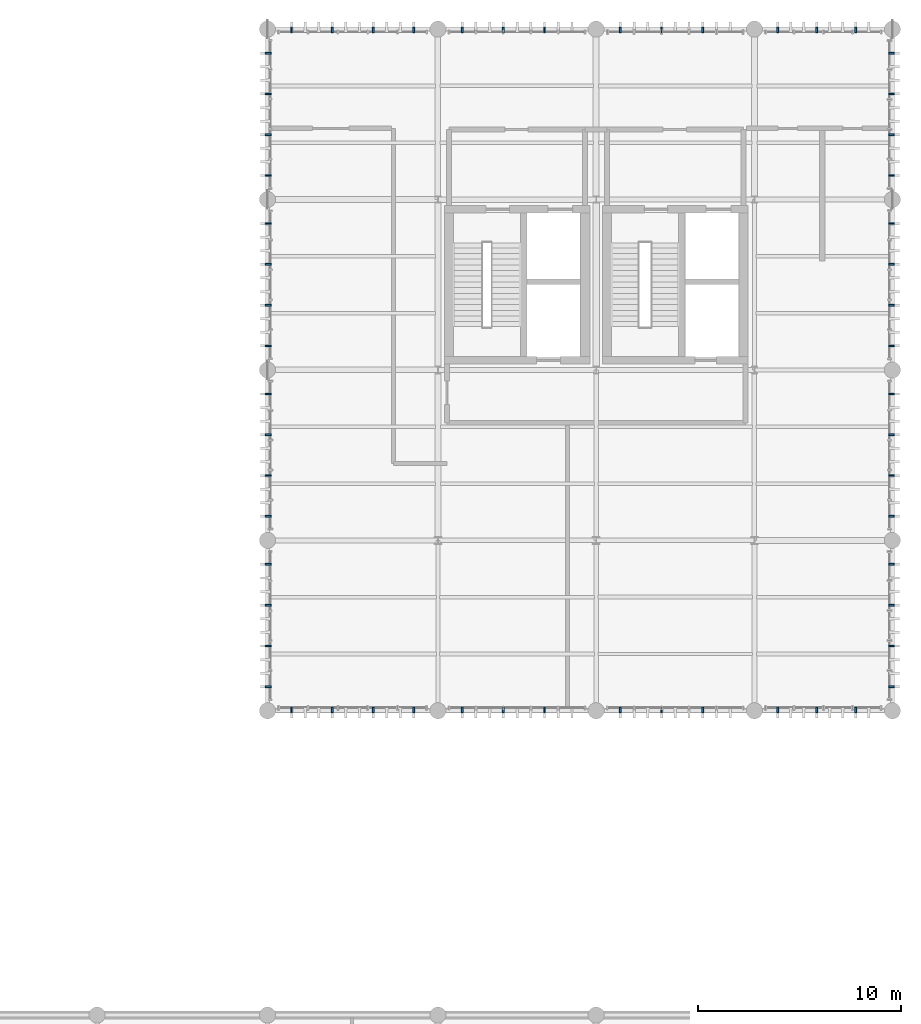
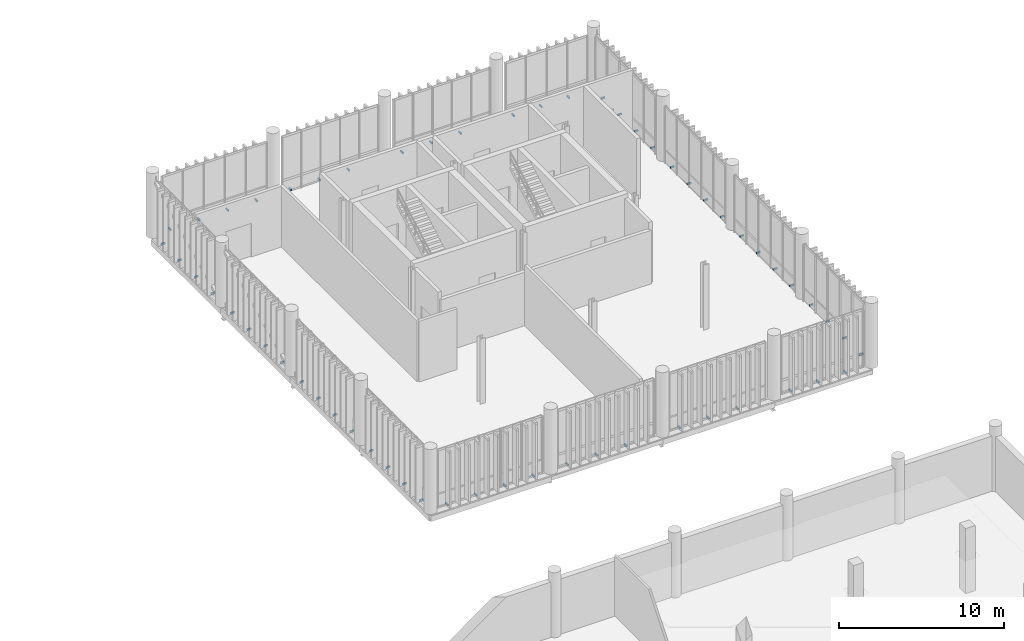
# One storey, part 86 of 94: 58 discrete accessories.
"""IFC4 building model written with IfcOpenShell, lengths in metres."""

from ifc_helpers import new_model, si_unit, direction, frame, origin_with_axes, origin_2d_with_axis, place, context, subcontext, project, spatial, rectangle, extrude, material, type_object, element, save


model = new_model("IFC4")

# Units and contexts
model_context = context("Model", 3, precision=1e-05, world=origin_with_axes(), true_north=direction((0.0, 1.0)))
body_context = subcontext(model_context, "Body", "Model", "MODEL_VIEW")
ifc_project = project(units=[si_unit("LENGTHUNIT", "METRE"), si_unit("AREAUNIT", "SQUARE_METRE"), si_unit("VOLUMEUNIT", "CUBIC_METRE"), si_unit("PLANEANGLEUNIT", "RADIAN"), si_unit("MASSUNIT", "GRAM", prefix="KILO"), si_unit("THERMODYNAMICTEMPERATUREUNIT", "KELVIN")], contexts=[model_context])

# Site, building, storey
site_placement = place(None, origin_with_axes())
site = spatial("IfcSite", under=ifc_project, at=site_placement, CompositionType="ELEMENT")
building_placement = place(site_placement, origin_with_axes())
building = spatial("IfcBuilding", under=site, at=building_placement, Name="Montbau Bow Law Courts", CompositionType="ELEMENT")
storey_placement = place(building_placement, frame((0.0, 0.0, 15.6), z_axis=(0.0, 0.0, 1.0), x_axis=(1.0, 0.0, 0.0)))
storey = spatial("IfcBuildingStorey", under=building, at=storey_placement, Name="L03", CompositionType="ELEMENT", Elevation=15.6)

# Discrete accessories
ifc_material = material(Name="Stainless Steel AISI 316L Outrigger Louvre Bracket", Category="steel")
discrete_accessory_type = type_object("IfcDiscreteAccessoryType", Name="DA-BRK-01", PredefinedType="BRACKET", material=ifc_material)
for number, where, z_axis, x_axis, name in (
    (1, (139.785, 69.64, 15.6), (0.0, 0.0, 1.0), (0.0, -1.0, 0.0), "BRK-L03-1043:brk_1043"),
    (2, (141.795, 69.64, 15.6), (0.0, 0.0, 1.0), (0.0, -1.0, 0.0), "BRK-L03-1044:brk_1044"),
    (3, (143.805, 69.64, 15.6), (0.0, 0.0, 1.0), (0.0, -1.0, 0.0), "BRK-L03-1045:brk_1045"),
    (4, (145.815, 69.64, 15.6), (0.0, 0.0, 1.0), (0.0, -1.0, 0.0), "BRK-L03-1046:brk_1046"),
    (5, (148.192, 69.64, 15.6), (0.0, 0.0, 1.0), (0.0, -1.0, 0.0), "BRK-L03-1047:brk_1047"),
    (6, (150.223, 69.64, 15.6), (0.0, 0.0, 1.0), (0.0, -1.0, 0.0), "BRK-L03-1048:brk_1048"),
    (7, (152.254, 69.64, 15.6), (0.0, 0.0, 1.0), (0.0, -1.0, 0.0), "BRK-L03-1049:brk_1049"),
    (8, (155.992, 69.64, 15.6), (0.0, 0.0, 1.0), (0.0, -1.0, 0.0), "BRK-L03-1050:brk_1050"),
    (9, (158.023, 69.64, 15.6), (0.0, 0.0, 1.0), (0.0, -1.0, 0.0), "BRK-L03-1051:brk_1051"),
    (10, (160.054, 69.64, 15.6), (0.0, 0.0, 1.0), (0.0, -1.0, 0.0), "BRK-L03-1052:brk_1052"),
    (11, (163.756, 69.64, 15.6), (0.0, 0.0, 1.0), (0.0, -1.0, 0.0), "BRK-L03-1053:brk_1053"),
    (12, (165.679, 69.64, 15.6), (0.0, 0.0, 1.0), (0.0, -1.0, 0.0), "BRK-L03-1054:brk_1054"),
    (13, (167.603, 69.64, 15.6), (0.0, 0.0, 1.0), (0.0, -1.0, 0.0), "BRK-L03-1055:brk_1055"),
    (14, (139.785, 103.16, 15.6), (0.0, 0.0, 1.0), (0.0, 1.0, 0.0), "BRK-L03-1056:brk_1056"),
    (15, (141.795, 103.16, 15.6), (0.0, 0.0, 1.0), (0.0, 1.0, 0.0), "BRK-L03-1057:brk_1057"),
    (16, (143.805, 103.16, 15.6), (0.0, 0.0, 1.0), (0.0, 1.0, 0.0), "BRK-L03-1058:brk_1058"),
    (17, (145.815, 103.16, 15.6), (0.0, 0.0, 1.0), (0.0, 1.0, 0.0), "BRK-L03-1059:brk_1059"),
    (18, (148.192, 103.16, 15.6), (0.0, 0.0, 1.0), (0.0, 1.0, 0.0), "BRK-L03-1060:brk_1060"),
    (19, (150.223, 103.16, 15.6), (0.0, 0.0, 1.0), (0.0, 1.0, 0.0), "BRK-L03-1061:brk_1061"),
    (20, (152.254, 103.16, 15.6), (0.0, 0.0, 1.0), (0.0, 1.0, 0.0), "BRK-L03-1062:brk_1062"),
    (21, (155.992, 103.16, 15.6), (0.0, 0.0, 1.0), (0.0, 1.0, 0.0), "BRK-L03-1063:brk_1063"),
    (22, (158.023, 103.16, 15.6), (0.0, 0.0, 1.0), (0.0, 1.0, 0.0), "BRK-L03-1064:brk_1064"),
    (23, (160.054, 103.16, 15.6), (0.0, 0.0, 1.0), (0.0, 1.0, 0.0), "BRK-L03-1065:brk_1065"),
    (24, (163.756, 103.16, 15.6), (0.0, 0.0, 1.0), (0.0, 1.0, 0.0), "BRK-L03-1066:brk_1066"),
    (25, (165.679, 103.16, 15.6), (0.0, 0.0, 1.0), (0.0, 1.0, 0.0), "BRK-L03-1067:brk_1067"),
    (26, (167.603, 103.16, 15.6), (0.0, 0.0, 1.0), (0.0, 1.0, 0.0), "BRK-L03-1068:brk_1068"),
    (27, (138.64, 70.785, 15.6), (0.0, 0.0, 1.0), (-1.0, 0.0, 0.0), "BRK-L03-1069:brk_1069"),
    (28, (138.64, 72.795, 15.6), (0.0, 0.0, 1.0), (-1.0, 0.0, 0.0), "BRK-L03-1070:brk_1070"),
    (29, (138.64, 74.805, 15.6), (0.0, 0.0, 1.0), (-1.0, 0.0, 0.0), "BRK-L03-1071:brk_1071"),
    (30, (138.64, 76.815, 15.6), (0.0, 0.0, 1.0), (-1.0, 0.0, 0.0), "BRK-L03-1072:brk_1072"),
    (31, (138.64, 79.185, 15.6), (0.0, 0.0, 1.0), (-1.0, 0.0, 0.0), "BRK-L03-1073:brk_1073"),
    (32, (138.64, 81.195, 15.6), (0.0, 0.0, 1.0), (-1.0, 0.0, 0.0), "BRK-L03-1074:brk_1074"),
    (33, (138.64, 83.205, 15.6), (0.0, 0.0, 1.0), (-1.0, 0.0, 0.0), "BRK-L03-1075:brk_1075"),
    (34, (138.64, 85.215, 15.6), (0.0, 0.0, 1.0), (-1.0, 0.0, 0.0), "BRK-L03-1076:brk_1076"),
    (35, (138.64, 87.585, 15.6), (0.0, 0.0, 1.0), (-1.0, 0.0, 0.0), "BRK-L03-1077:brk_1077"),
    (36, (138.64, 89.595, 15.6), (0.0, 0.0, 1.0), (-1.0, 0.0, 0.0), "BRK-L03-1078:brk_1078"),
    (37, (138.64, 91.605, 15.6), (0.0, 0.0, 1.0), (-1.0, 0.0, 0.0), "BRK-L03-1079:brk_1079"),
    (38, (138.64, 93.615, 15.6), (0.0, 0.0, 1.0), (-1.0, 0.0, 0.0), "BRK-L03-1080:brk_1080"),
    (39, (138.64, 95.985, 15.6), (0.0, 0.0, 1.0), (-1.0, 0.0, 0.0), "BRK-L03-1081:brk_1081"),
    (40, (138.64, 97.995, 15.6), (0.0, 0.0, 1.0), (-1.0, 0.0, 0.0), "BRK-L03-1082:brk_1082"),
    (41, (138.64, 100.005, 15.6), (0.0, 0.0, 1.0), (-1.0, 0.0, 0.0), "BRK-L03-1083:brk_1083"),
    (42, (138.64, 102.015, 15.6), (0.0, 0.0, 1.0), (-1.0, 0.0, 0.0), "BRK-L03-1084:brk_1084"),
    (43, (169.36, 70.785, 15.6), (0.0, 0.0, 1.0), (1.0, 0.0, 0.0), "BRK-L03-1085:brk_1085"),
    (44, (169.36, 72.795, 15.6), (0.0, 0.0, 1.0), (1.0, 0.0, 0.0), "BRK-L03-1086:brk_1086"),
    (45, (169.36, 74.805, 15.6), (0.0, 0.0, 1.0), (1.0, 0.0, 0.0), "BRK-L03-1087:brk_1087"),
    (46, (169.36, 76.815, 15.6), (0.0, 0.0, 1.0), (1.0, 0.0, 0.0), "BRK-L03-1088:brk_1088"),
    (47, (169.36, 79.185, 15.6), (0.0, 0.0, 1.0), (1.0, 0.0, 0.0), "BRK-L03-1089:brk_1089"),
    (48, (169.36, 81.195, 15.6), (0.0, 0.0, 1.0), (1.0, 0.0, 0.0), "BRK-L03-1090:brk_1090"),
    (49, (169.36, 83.205, 15.6), (0.0, 0.0, 1.0), (1.0, 0.0, 0.0), "BRK-L03-1091:brk_1091"),
    (50, (169.36, 85.215, 15.6), (0.0, 0.0, 1.0), (1.0, 0.0, 0.0), "BRK-L03-1092:brk_1092"),
    (51, (169.36, 87.585, 15.6), (0.0, 0.0, 1.0), (1.0, 0.0, 0.0), "BRK-L03-1093:brk_1093"),
    (52, (169.36, 89.595, 15.6), (0.0, 0.0, 1.0), (1.0, 0.0, 0.0), "BRK-L03-1094:brk_1094"),
    (53, (169.36, 91.605, 15.6), (0.0, 0.0, 1.0), (1.0, 0.0, 0.0), "BRK-L03-1095:brk_1095"),
    (54, (169.36, 93.615, 15.6), (0.0, 0.0, 1.0), (1.0, 0.0, 0.0), "BRK-L03-1096:brk_1096"),
    (55, (169.36, 95.985, 15.6), (0.0, 0.0, 1.0), (1.0, 0.0, 0.0), "BRK-L03-1097:brk_1097"),
    (56, (169.36, 97.995, 15.6), (0.0, 0.0, 1.0), (1.0, 0.0, 0.0), "BRK-L03-1098:brk_1098"),
    (57, (169.36, 100.005, 15.6), (0.0, 0.0, 1.0), (1.0, 0.0, 0.0), "BRK-L03-1099:brk_1099"),
    (58, (169.36, 102.015, 15.6), (0.0, 0.0, 1.0), (1.0, 0.0, 0.0), "BRK-L03-1100:brk_1100"),
):
    element("IfcDiscreteAccessory", number, at=place(None, frame(where, z_axis=z_axis, x_axis=x_axis)), inside=storey, type_object=discrete_accessory_type, Name=name, PredefinedType="BRACKET", context=body_context, shape_type="SweptSolid", body=[
        extrude(rectangle(XDim=0.28, YDim=0.09, at=origin_2d_with_axis()), origin_with_axes(), (0.0, 0.0, 1.0), 0.12),
    ])

save(model, "model.ifc")
